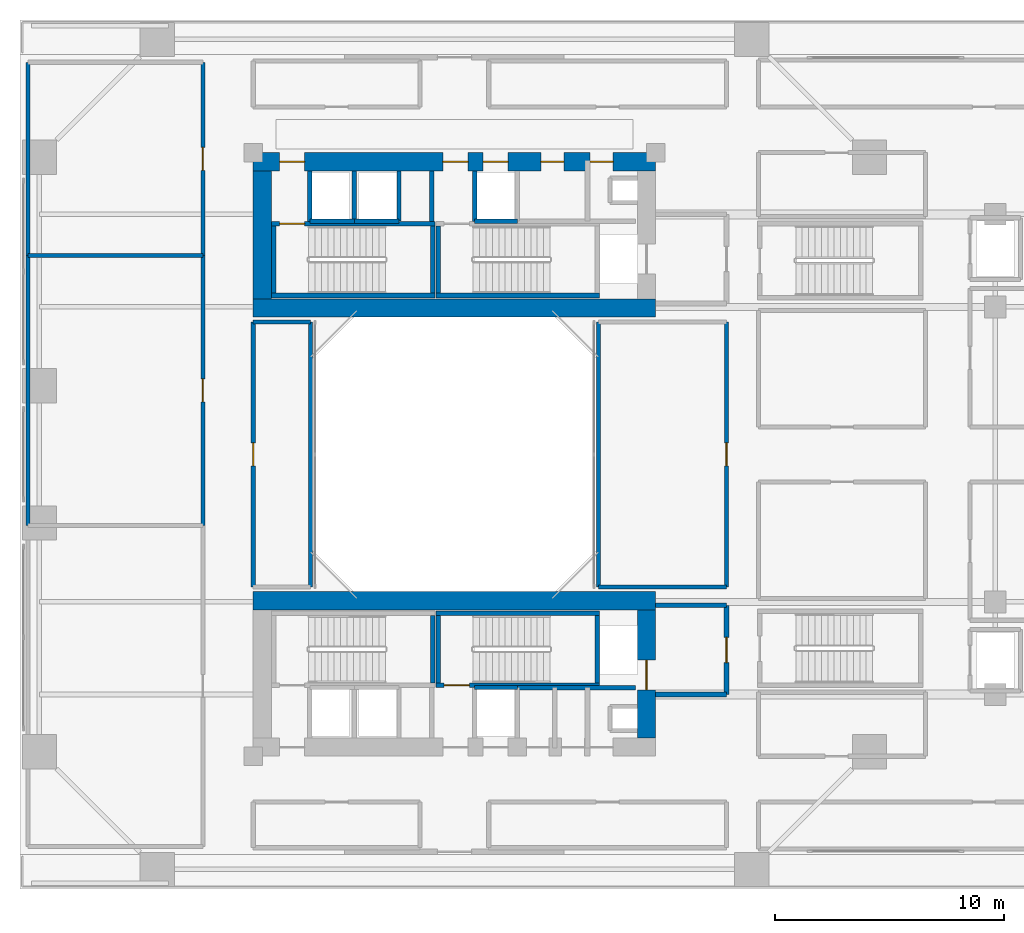
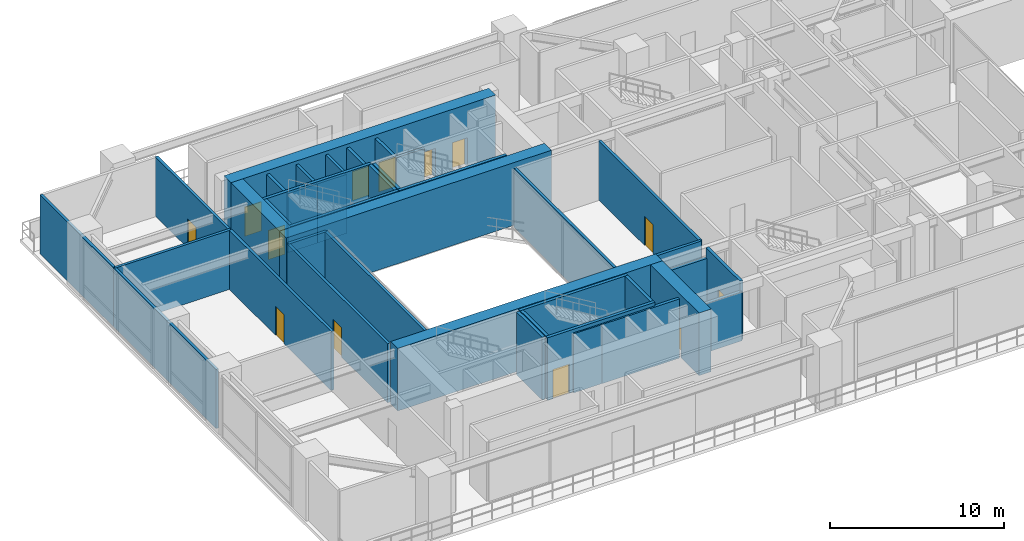
# One storey, part 12 of 20: 40 walls, 13 doors, 13 openings.
"""IFC4 building model written with IfcOpenShell, lengths in metres."""

from ifc_helpers import new_model, si_unit, direction, frame, frame_2d, origin, place, context, subcontext, project, spatial, rectangle, extrude, source, transform, mapped, material, layer, layer_set, type_object, element, fill, save


model = new_model("IFC4")

# Units and contexts
model_context = context("Model", 3, precision=1e-05, world=origin(), true_north=direction((0.0, 1.0)))
body_context = subcontext(model_context, "Body", "Model", "MODEL_VIEW")
ifc_project = project(units=[si_unit("LENGTHUNIT", "METRE"), si_unit("AREAUNIT", "SQUARE_METRE"), si_unit("VOLUMEUNIT", "CUBIC_METRE"), si_unit("PLANEANGLEUNIT", "RADIAN"), si_unit("MASSUNIT", "GRAM", prefix="KILO"), si_unit("THERMODYNAMICTEMPERATUREUNIT", "KELVIN"), si_unit("POWERUNIT", "WATT")], contexts=[model_context])

# Site, building, storey
site_placement = place(None, origin())
site = spatial("IfcSite", under=ifc_project, at=site_placement, CompositionType="ELEMENT")
building_placement = place(site_placement, origin())
building = spatial("IfcBuilding", under=site, at=building_placement, Name="Qiaomeng Ring Towers", CompositionType="ELEMENT")
storey_placement = place(building_placement, frame((0.0, 0.0, 13.800048828125)))
storey = spatial("IfcBuildingStorey", under=building, at=storey_placement, Name="L03", CompositionType="ELEMENT", Elevation=13.800048828125)

# Walls
ifc_material_1 = material(Name="Autoclaved aerated concrete block", Category="concrete")
ifc_layer_1 = layer(ifc_material_1, 0.199951171875, Name="Autoclaved aerated concrete block")
ifc_layer_set_1 = layer_set([ifc_layer_1], Name="Autoclaved aerated concrete block")
wall_type_1 = type_object("IfcWallType", Name="ARC-WL-PW1", PredefinedType="PARTITIONING", material=ifc_layer_set_1)
for number, where, z_axis, x_axis, name in (
    (1, (27.800048828125, 16.39990234375, 0.0), (0.0, 0.0, 1.0), (1.0, 0.0, 0.0), "L03 Interior Wall PW1"),
    (2, (27.800048828125, 12.5, 0.0), (0.0, 0.0, 1.0), (1.0, 0.0, 0.0), "L03 Interior Wall PW1"),
):
    element("IfcWall", number, at=place(storey_placement, frame(where, z_axis=z_axis, x_axis=x_axis)), inside=storey, type_object=wall_type_1, Name=name, PredefinedType="PARTITIONING", context=body_context, shape_type="SweptSolid", body=[
        extrude(rectangle(XDim=3.099853515625, YDim=0.199951171875, at=frame_2d((1.5498046875, 0.0))), origin(), (0.0, 0.0, 1.0), 3.445068359375),
    ])

# Wall, opening, door
wall_1_placement = place(storey_placement, frame((30.89990234375, 12.5, 0.0), z_axis=(0.0, 0.0, 1.0), x_axis=(0.0, 1.0, 0.0)))
wall_1 = element("IfcWall", 3, at=wall_1_placement, inside=storey, type_object=wall_type_1, Name="L03 Interior Wall PW1", PredefinedType="PARTITIONING", context=body_context, shape_type="SweptSolid", body=[
    extrude(rectangle(XDim=3.89990234375, YDim=0.199951171875, at=frame_2d((1.949951171875, 0.0))), origin(), (0.0, 0.0, 1.0), 4.14990234375),
])
opening_1_placement = place(wall_1_placement, frame((1.39990234375, 0.0, 0.0)))
opening_1 = element("IfcOpeningElement", 4, at=opening_1_placement, cuts=wall_1, Name="Opening FD3", PredefinedType="OPENING", context=body_context, shape_type="SweptSolid", body=[
    extrude(rectangle(XDim=1.10009765625, YDim=2.050048828125, at=frame_2d((0.550048828125, 1.02490234375))), frame((0.0, 0.10986328125, 0.0), z_axis=(0.0, -1.0, 0.0), x_axis=(1.0, 0.0, 0.0)), (0.0, 0.0, 1.0), 0.219970703125),
])
ifc_material_2 = material(Name="Galvanised steel", Category="steel")
door_type_1 = type_object("IfcDoorType", Name="ARC-DR-FD3", OperationType="NOTDEFINED", PredefinedType="DOOR", material=ifc_material_2)
shared_shape_1 = source(origin(), body_context, "Body", "SweptSolid", [
    extrude(rectangle(XDim=1.10009765625, YDim=2.050048828125, at=frame_2d((0.550048828125, 1.02490234375))), frame((0.0, 0.02490234375, 0.0), z_axis=(0.0, -1.0, 0.0), x_axis=(1.0, 0.0, 0.0)), (0.0, 0.0, 1.0), 0.050048828125),
])
door_1_placement = place(opening_1_placement, origin())
door_1 = element("IfcDoor", 5, at=door_1_placement, inside=storey, type_object=door_type_1, Name="L03 South FF Lobby Door", OperationType="SINGLE_SWING_RIGHT", OverallHeight=2.050048828125, OverallWidth=1.10009765625, PredefinedType="DOOR", context=body_context, shape_type="MappedRepresentation", body=[
    mapped(shared_shape_1, transform((0.0, 0.0, 0.0), x_axis=(1.0, 0.0, 0.0), y_axis=(0.0, 1.0, 0.0), z_axis=(0.0, 0.0, 1.0), scale=1.0)),
])
fill(opening_1, door_1)

# Walls
for number, where, z_axis, x_axis, name in (
    (6, (12.679931640625, 33.18994140625, 0.0), (0.0, 0.0, 1.0), (0.0, 1.0, 0.0), "L03 Interior Wall PW1"),
    (7, (18.0, 33.18994140625, 0.0), (0.0, 0.0, 1.0), (0.0, 1.0, 0.0), "L03 Interior Wall PW1"),
    (8, (19.8798828125, 33.18994140625, 0.0), (0.0, 0.0, 1.0), (0.0, 1.0, 0.0), "L03 Interior Wall PW1"),
):
    element("IfcWall", number, at=place(storey_placement, frame(where, z_axis=z_axis, x_axis=x_axis)), inside=storey, type_object=wall_type_1, Name=name, PredefinedType="PARTITIONING", context=body_context, shape_type="SweptSolid", body=[
        extrude(rectangle(XDim=2.2099609375, YDim=0.199951171875, at=frame_2d((1.10498046875, 0.0))), origin(), (0.0, 0.0, 1.0), 4.14990234375),
    ])
wall_2_placement = place(storey_placement, frame((21.75, 12.800048828125, 0.0), z_axis=(0.0, 0.0, 1.0), x_axis=(1.0, 0.0, 0.0)))
element("IfcWall", 9, at=wall_2_placement, inside=storey, type_object=wall_type_1, Name="L03 Interior Wall PW1", PredefinedType="PARTITIONING", context=body_context, shape_type="SweptSolid", body=[
    extrude(rectangle(XDim=5.169921875, YDim=0.199951171875, at=frame_2d((2.5849609375, 0.0))), origin(), (0.0, 0.0, 1.0), 4.14990234375),
])
ifc_layer_2 = layer(ifc_material_1, 0.179931640625, Name="Autoclaved aerated concrete block")
ifc_layer_set_2 = layer_set([ifc_layer_2], Name="Autoclaved aerated concrete block")
wall_type_2 = type_object("IfcWallType", Name="ARC-WL-PW2", PredefinedType="PARTITIONING", material=ifc_layer_set_2)
wall_3_placement = place(storey_placement, frame((0.35009765625, 31.699951171875, 0.0), z_axis=(0.0, 0.0, 1.0), x_axis=(1.0, 0.0, 0.0)))
element("IfcWall", 10, at=wall_3_placement, inside=storey, type_object=wall_type_2, Name="L03 Interior Wall PW2", PredefinedType="PARTITIONING", context=body_context, shape_type="SweptSolid", body=[
    extrude(rectangle(XDim=7.64990234375, YDim=0.179931640625, at=frame_2d((3.824951171875, 0.0))), origin(), (0.0, 0.0, 1.0), 4.14990234375),
])
wall_4_placement = place(storey_placement, frame((0.35009765625, 19.89990234375, 0.0), z_axis=(0.0, 0.0, 1.0), x_axis=(0.0, 1.0, 0.0)))
element("IfcWall", 11, at=wall_4_placement, inside=storey, type_object=wall_type_2, Name="L03 Interior Wall PW2", PredefinedType="PARTITIONING", context=body_context, shape_type="SweptSolid", body=[
    extrude(rectangle(XDim=11.800048828125, YDim=0.179931640625, at=frame_2d((5.89990234375, 0.0))), origin(), (0.0, 0.0, 1.0), 4.14990234375),
])

# Wall, opening, door
wall_5_placement = place(storey_placement, frame((8.0, 19.89990234375, 0.0), z_axis=(0.0, 0.0, 1.0), x_axis=(0.0, 1.0, 0.0)))
wall_5 = element("IfcWall", 12, at=wall_5_placement, inside=storey, type_object=wall_type_2, Name="L03 Interior Wall PW2", PredefinedType="PARTITIONING", context=body_context, shape_type="SweptSolid", body=[
    extrude(rectangle(XDim=11.800048828125, YDim=0.179931640625, at=frame_2d((5.89990234375, 0.0))), origin(), (0.0, 0.0, 1.0), 4.14990234375),
])
opening_2_placement = place(wall_5_placement, frame((5.39990234375, 0.0, 0.0)))
opening_2 = element("IfcOpeningElement", 13, at=opening_2_placement, cuts=wall_5, Name="Opening FD4", PredefinedType="OPENING", context=body_context, shape_type="SweptSolid", body=[
    extrude(rectangle(XDim=1.0, YDim=2.050048828125, at=frame_2d((0.5, 1.02490234375))), frame((0.0, 0.099853515625, 0.0), z_axis=(0.0, -1.0, 0.0), x_axis=(1.0, 0.0, 0.0)), (0.0, 0.0, 1.0), 0.199951171875),
])
ifc_material_3 = material(Name="Engineered fire-rated oak timber", Category="wood")
door_type_2 = type_object("IfcDoorType", Name="ARC-DR-FD4", OperationType="NOTDEFINED", PredefinedType="DOOR", material=ifc_material_3)
shared_shape_2 = source(origin(), body_context, "Body", "SweptSolid", [
    extrude(rectangle(XDim=1.0, YDim=2.050048828125, at=frame_2d((0.5, 1.02490234375))), frame((0.0, 0.02490234375, 0.0), z_axis=(0.0, -1.0, 0.0), x_axis=(1.0, 0.0, 0.0)), (0.0, 0.0, 1.0), 0.050048828125),
])
door_2_placement = place(opening_2_placement, origin())
door_2 = element("IfcDoor", 14, at=door_2_placement, inside=storey, type_object=door_type_2, Name="L03 L03 Specialist Consultation Office Door", OperationType="SINGLE_SWING_RIGHT", OverallHeight=2.050048828125, OverallWidth=1.0, PredefinedType="DOOR", context=body_context, shape_type="MappedRepresentation", body=[
    mapped(shared_shape_2, transform((0.0, 0.0, 0.0), x_axis=(1.0, 0.0, 0.0), y_axis=(0.0, 1.0, 0.0), z_axis=(0.0, 0.0, 1.0), scale=1.0)),
])
fill(opening_2, door_2)

# Wall
wall_6_placement = place(storey_placement, frame((0.35009765625, 31.699951171875, 0.0), z_axis=(0.0, 0.0, 1.0), x_axis=(0.0, 1.0, 0.0)))
element("IfcWall", 15, at=wall_6_placement, inside=storey, type_object=wall_type_2, Name="L03 Interior Wall PW2", PredefinedType="PARTITIONING", context=body_context, shape_type="SweptSolid", body=[
    extrude(rectangle(XDim=8.449951171875, YDim=0.179931640625, at=frame_2d((4.22509765625, 0.0))), origin(), (0.0, 0.0, 1.0), 4.14990234375),
])

# Wall, opening, door
wall_7_placement = place(storey_placement, frame((8.0, 31.699951171875, 0.0), z_axis=(0.0, 0.0, 1.0), x_axis=(0.0, 1.0, 0.0)))
wall_7 = element("IfcWall", 16, at=wall_7_placement, inside=storey, type_object=wall_type_2, Name="L03 Interior Wall PW2", PredefinedType="PARTITIONING", context=body_context, shape_type="SweptSolid", body=[
    extrude(rectangle(XDim=8.449951171875, YDim=0.179931640625, at=frame_2d((4.22509765625, 0.0))), origin(), (0.0, 0.0, 1.0), 4.14990234375),
])
opening_3_placement = place(wall_7_placement, frame((3.72509765625, 0.0, 0.0)))
opening_3 = element("IfcOpeningElement", 17, at=opening_3_placement, cuts=wall_7, Name="Opening FD4", PredefinedType="OPENING", context=body_context, shape_type="SweptSolid", body=[
    extrude(rectangle(XDim=1.0, YDim=2.050048828125, at=frame_2d((0.5, 1.02490234375))), frame((0.0, 0.099853515625, 0.0), z_axis=(0.0, -1.0, 0.0), x_axis=(1.0, 0.0, 0.0)), (0.0, 0.0, 1.0), 0.199951171875),
])
door_3_placement = place(opening_3_placement, origin())
door_3 = element("IfcDoor", 18, at=door_3_placement, inside=storey, type_object=door_type_2, Name="L03 L03 Rehabilitation Physiotherapy Gymnasium Door", OperationType="SINGLE_SWING_LEFT", OverallHeight=2.050048828125, OverallWidth=1.0, PredefinedType="DOOR", context=body_context, shape_type="MappedRepresentation", body=[
    mapped(shared_shape_2, transform((0.0, 0.0, 0.0), x_axis=(1.0, 0.0, 0.0), y_axis=(0.0, 1.0, 0.0), z_axis=(0.0, 0.0, 1.0), scale=1.0)),
])
fill(opening_3, door_3)

# Wall
wall_8_placement = place(storey_placement, frame((10.199951171875, 28.800048828125, 0.0), z_axis=(0.0, 0.0, 1.0), x_axis=(1.0, 0.0, 0.0)))
element("IfcWall", 19, at=wall_8_placement, inside=storey, type_object=wall_type_2, Name="L03 Interior Wall PW2", PredefinedType="PARTITIONING", context=body_context, shape_type="SweptSolid", body=[
    extrude(rectangle(XDim=2.5, YDim=0.179931640625, at=frame_2d((1.25, 0.0))), origin(), (0.0, 0.0, 1.0), 4.14990234375),
])

# Wall, opening, door
wall_9_placement = place(storey_placement, frame((10.199951171875, 17.199951171875, 0.0), z_axis=(0.0, 0.0, 1.0), x_axis=(0.0, 1.0, 0.0)))
wall_9 = element("IfcWall", 20, at=wall_9_placement, inside=storey, type_object=wall_type_2, Name="L03 Interior Wall PW2", PredefinedType="PARTITIONING", context=body_context, shape_type="SweptSolid", body=[
    extrude(rectangle(XDim=11.60009765625, YDim=0.179931640625, at=frame_2d((5.800048828125, 0.0))), origin(), (0.0, 0.0, 1.0), 4.14990234375),
])
opening_4_placement = place(wall_9_placement, frame((5.300048828125, 0.0, 0.0)))
opening_4 = element("IfcOpeningElement", 21, at=opening_4_placement, cuts=wall_9, Name="Opening FD4", PredefinedType="OPENING", context=body_context, shape_type="SweptSolid", body=[
    extrude(rectangle(XDim=1.0, YDim=2.050048828125, at=frame_2d((0.5, 1.02490234375))), frame((0.0, 0.099853515625, 0.0), z_axis=(0.0, -1.0, 0.0), x_axis=(1.0, 0.0, 0.0)), (0.0, 0.0, 1.0), 0.199951171875),
])
door_4_placement = place(opening_4_placement, origin())
door_4 = element("IfcDoor", 22, at=door_4_placement, inside=storey, type_object=door_type_2, Name="L03 L03 Internal Medicine Suite Door", OperationType="SINGLE_SWING_RIGHT", OverallHeight=2.050048828125, OverallWidth=1.0, PredefinedType="DOOR", context=body_context, shape_type="MappedRepresentation", body=[
    mapped(shared_shape_2, transform((0.0, 0.0, 0.0), x_axis=(1.0, 0.0, 0.0), y_axis=(0.0, 1.0, 0.0), z_axis=(0.0, 0.0, 1.0), scale=1.0)),
])
fill(opening_4, door_4)

# Walls
wall_10_placement = place(storey_placement, frame((12.699951171875, 17.199951171875, 0.0), z_axis=(0.0, 0.0, 1.0), x_axis=(0.0, 1.0, 0.0)))
element("IfcWall", 23, at=wall_10_placement, inside=storey, type_object=wall_type_2, Name="L03 Interior Wall PW2", PredefinedType="PARTITIONING", context=body_context, shape_type="SweptSolid", body=[
    extrude(rectangle(XDim=11.60009765625, YDim=0.179931640625, at=frame_2d((5.800048828125, 0.0))), origin(), (0.0, 0.0, 1.0), 4.14990234375),
])
wall_11_placement = place(storey_placement, frame((25.300048828125, 17.199951171875, 0.0), z_axis=(0.0, 0.0, 1.0), x_axis=(1.0, 0.0, 0.0)))
element("IfcWall", 24, at=wall_11_placement, inside=storey, type_object=wall_type_2, Name="L03 Interior Wall PW2", PredefinedType="PARTITIONING", context=body_context, shape_type="SweptSolid", body=[
    extrude(rectangle(XDim=5.599853515625, YDim=0.179931640625, at=frame_2d((2.7998046875, 0.0))), origin(), (0.0, 0.0, 1.0), 4.14990234375),
])
wall_12_placement = place(storey_placement, frame((25.300048828125, 17.199951171875, 0.0), z_axis=(0.0, 0.0, 1.0), x_axis=(0.0, 1.0, 0.0)))
element("IfcWall", 25, at=wall_12_placement, inside=storey, type_object=wall_type_2, Name="L03 Interior Wall PW2", PredefinedType="PARTITIONING", context=body_context, shape_type="SweptSolid", body=[
    extrude(rectangle(XDim=11.60009765625, YDim=0.179931640625, at=frame_2d((5.800048828125, 0.0))), origin(), (0.0, 0.0, 1.0), 4.14990234375),
])

# Wall, opening, door
wall_13_placement = place(storey_placement, frame((30.89990234375, 17.199951171875, 0.0), z_axis=(0.0, 0.0, 1.0), x_axis=(0.0, 1.0, 0.0)))
wall_13 = element("IfcWall", 26, at=wall_13_placement, inside=storey, type_object=wall_type_2, Name="L03 Interior Wall PW2", PredefinedType="PARTITIONING", context=body_context, shape_type="SweptSolid", body=[
    extrude(rectangle(XDim=11.60009765625, YDim=0.179931640625, at=frame_2d((5.800048828125, 0.0))), origin(), (0.0, 0.0, 1.0), 4.14990234375),
])
opening_5_placement = place(wall_13_placement, frame((5.300048828125, 0.0, 0.0)))
opening_5 = element("IfcOpeningElement", 27, at=opening_5_placement, cuts=wall_13, Name="Opening FD4", PredefinedType="OPENING", context=body_context, shape_type="SweptSolid", body=[
    extrude(rectangle(XDim=1.0, YDim=2.050048828125, at=frame_2d((0.5, 1.02490234375))), frame((0.0, 0.099853515625, 0.0), z_axis=(0.0, -1.0, 0.0), x_axis=(1.0, 0.0, 0.0)), (0.0, 0.0, 1.0), 0.199951171875),
])
door_5_placement = place(opening_5_placement, origin())
door_5 = element("IfcDoor", 28, at=door_5_placement, inside=storey, type_object=door_type_2, Name="L03 L03 Traditional Medicine Clinic Door", OperationType="SINGLE_SWING_LEFT", OverallHeight=2.050048828125, OverallWidth=1.0, PredefinedType="DOOR", context=body_context, shape_type="MappedRepresentation", body=[
    mapped(shared_shape_2, transform((0.0, 0.0, 0.0), x_axis=(1.0, 0.0, 0.0), y_axis=(0.0, 1.0, 0.0), z_axis=(0.0, 0.0, 1.0), scale=1.0)),
])
fill(opening_5, door_5)

# Walls
ifc_material_4 = material(Name="Concrete C40", Category="concrete")
ifc_layer_3 = layer(ifc_material_4, 0.199951171875, Name="Concrete C40")
ifc_layer_set_3 = layer_set([ifc_layer_3], Name="Concrete C40")
wall_type_3 = type_object("IfcWallType", Name="STR-WL-STSHAFT", PredefinedType="SHEAR", material=ifc_layer_set_3)
wall_14_placement = place(storey_placement, frame((12.679931640625, 33.199951171875, 0.0), z_axis=(0.0, 0.0, 1.0), x_axis=(1.0, 0.0, 0.0)))
element("IfcWall", 29, at=wall_14_placement, inside=storey, type_object=wall_type_3, Name="L03 Lift LP5 Shaft Back Wall", PredefinedType="SHEAR", context=body_context, shape_type="SweptSolid", body=[
    extrude(rectangle(XDim=1.940185546875, YDim=0.179931640625, at=frame_2d((0.97021484375, 0.0))), origin(), (0.0, 0.0, 1.0), 4.14990234375),
])
wall_15_placement = place(storey_placement, frame((14.6201171875, 33.199951171875, 0.0), z_axis=(0.0, 0.0, 1.0), x_axis=(0.0, 1.0, 0.0)))
element("IfcWall", 30, at=wall_15_placement, inside=storey, type_object=wall_type_3, Name="L03 Lift LP5-LP3 Shaft Divider Wall", PredefinedType="SHEAR", context=body_context, shape_type="SweptSolid", body=[
    extrude(rectangle(XDim=2.199951171875, YDim=0.179931640625, at=frame_2d((1.10009765625, 0.0))), origin(), (0.0, 0.0, 1.0), 4.14990234375),
])
wall_16_placement = place(storey_placement, frame((14.6201171875, 33.199951171875, 0.0), z_axis=(0.0, 0.0, 1.0), x_axis=(1.0, 0.0, 0.0)))
element("IfcWall", 31, at=wall_16_placement, inside=storey, type_object=wall_type_3, Name="L03 Lift LP3 Shaft Back Wall", PredefinedType="SHEAR", context=body_context, shape_type="SweptSolid", body=[
    extrude(rectangle(XDim=1.9599609375, YDim=0.179931640625, at=frame_2d((0.97998046875, 0.0))), origin(), (0.0, 0.0, 1.0), 4.14990234375),
])
wall_17_placement = place(storey_placement, frame((16.580078125, 33.199951171875, 0.0), z_axis=(0.0, 0.0, 1.0), x_axis=(0.0, 1.0, 0.0)))
element("IfcWall", 32, at=wall_17_placement, inside=storey, type_object=wall_type_3, Name="L03 Lift LP3 East Shaft Wall", PredefinedType="SHEAR", context=body_context, shape_type="SweptSolid", body=[
    extrude(rectangle(XDim=2.199951171875, YDim=0.179931640625, at=frame_2d((1.10009765625, 0.0))), origin(), (0.0, 0.0, 1.0), 4.14990234375),
])
for number, where, z_axis, x_axis, name in (
    (33, (19.8798828125, 33.199951171875, 0.0), (0.0, 0.0, 1.0), (1.0, 0.0, 0.0), "L03 Lift LP1 Shaft Back Wall"),
    (34, (19.8798828125, 12.800048828125, 0.0), (0.0, 0.0, 1.0), (1.0, 0.0, 0.0), "L03 Lift LP2 Shaft Back Wall"),
):
    element("IfcWall", number, at=place(storey_placement, frame(where, z_axis=z_axis, x_axis=x_axis)), inside=storey, type_object=wall_type_3, Name=name, PredefinedType="SHEAR", context=body_context, shape_type="SweptSolid", body=[
        extrude(rectangle(XDim=1.8701171875, YDim=0.179931640625, at=frame_2d((0.93505859375, 0.0))), origin(), (0.0, 0.0, 1.0), 4.14990234375),
    ])
wall_18_placement = place(storey_placement, frame((11.0, 29.949951171875, 0.0), z_axis=(0.0, 0.0, 1.0), x_axis=(1.0, 0.0, 0.0)))
element("IfcWall", 35, at=wall_18_placement, inside=storey, type_object=wall_type_3, Name="L03 Stair ST1 South Shaft Shear Wall", PredefinedType="SHEAR", context=body_context, shape_type="SweptSolid", body=[
    extrude(rectangle(XDim=7.14990234375, YDim=0.199951171875, at=frame_2d((3.574951171875, 0.0))), origin(), (0.0, 0.0, 1.0), 4.39990234375),
])

# Wall, opening, door
wall_19_placement = place(storey_placement, frame((11.0, 33.090087890625, 0.0), z_axis=(0.0, 0.0, 1.0), x_axis=(1.0, 0.0, 0.0)))
wall_19 = element("IfcWall", 36, at=wall_19_placement, inside=storey, type_object=wall_type_3, Name="L03 Stair ST1 North Shaft Shear Wall", PredefinedType="SHEAR", context=body_context, shape_type="SweptSolid", body=[
    extrude(rectangle(XDim=7.14990234375, YDim=0.199951171875, at=frame_2d((3.574951171875, 0.0))), origin(), (0.0, 0.0, 1.0), 4.39990234375),
])
opening_6_placement = place(wall_19_placement, frame((0.35009765625, 0.0, 0.0)))
opening_6 = element("IfcOpeningElement", 37, at=opening_6_placement, cuts=wall_19, Name="Opening FD3", PredefinedType="OPENING", context=body_context, shape_type="SweptSolid", body=[
    extrude(rectangle(XDim=1.10009765625, YDim=2.050048828125, at=frame_2d((0.550048828125, 1.02490234375))), frame((0.0, 0.10986328125, 0.0), z_axis=(0.0, -1.0, 0.0), x_axis=(1.0, 0.0, 0.0)), (0.0, 0.0, 1.0), 0.219970703125),
])
door_6_placement = place(opening_6_placement, origin())
door_6 = element("IfcDoor", 38, at=door_6_placement, inside=storey, type_object=door_type_1, Name="L03 Stair ST1 Exit Door", OperationType="SINGLE_SWING_RIGHT", OverallHeight=2.050048828125, OverallWidth=1.10009765625, PredefinedType="DOOR", context=body_context, shape_type="MappedRepresentation", body=[
    mapped(shared_shape_1, transform((0.0, 0.0, 0.0), x_axis=(1.0, 0.0, 0.0), y_axis=(0.0, 1.0, 0.0), z_axis=(0.0, 0.0, 1.0), scale=1.0)),
])
fill(opening_6, door_6)

# Walls
for number, where, z_axis, x_axis, name in (
    (39, (11.10009765625, 30.050048828125, 0.0), (0.0, 0.0, 1.0), (0.0, 1.0, 0.0), "L03 Stair ST1 West Shaft Shear Wall"),
    (40, (18.050048828125, 30.050048828125, 0.0), (0.0, 0.0, 1.0), (0.0, 1.0, 0.0), "L03 Stair ST1 East Shaft Shear Wall"),
):
    element("IfcWall", number, at=place(storey_placement, frame(where, z_axis=z_axis, x_axis=x_axis)), inside=storey, type_object=wall_type_3, Name=name, PredefinedType="SHEAR", context=body_context, shape_type="SweptSolid", body=[
        extrude(rectangle(XDim=2.93994140625, YDim=0.199951171875, at=frame_2d((1.469970703125, 0.0))), origin(), (0.0, 0.0, 1.0), 4.39990234375),
    ])
wall_20_placement = place(storey_placement, frame((18.199951171875, 29.949951171875, 0.0), z_axis=(0.0, 0.0, 1.0), x_axis=(1.0, 0.0, 0.0)))
element("IfcWall", 41, at=wall_20_placement, inside=storey, type_object=wall_type_3, Name="L03 Stair ST2 South Shaft Shear Wall", PredefinedType="SHEAR", context=body_context, shape_type="SweptSolid", body=[
    extrude(rectangle(XDim=7.150146484375, YDim=0.199951171875, at=frame_2d((3.5751953125, 0.0))), origin(), (0.0, 0.0, 1.0), 4.39990234375),
])
for number, where, z_axis, x_axis, name in (
    (42, (18.300048828125, 30.050048828125, 0.0), (0.0, 0.0, 1.0), (0.0, 1.0, 0.0), "L03 Stair ST2 West Shaft Shear Wall"),
    (43, (18.050048828125, 13.010009765625, 0.0), (0.0, 0.0, 1.0), (0.0, 1.0, 0.0), "L03 Stair ST3 East Shaft Shear Wall"),
):
    element("IfcWall", number, at=place(storey_placement, frame(where, z_axis=z_axis, x_axis=x_axis)), inside=storey, type_object=wall_type_3, Name=name, PredefinedType="SHEAR", context=body_context, shape_type="SweptSolid", body=[
        extrude(rectangle(XDim=2.93994140625, YDim=0.199951171875, at=frame_2d((1.469970703125, 0.0))), origin(), (0.0, 0.0, 1.0), 4.39990234375),
    ])

# Wall, opening, door
wall_21_placement = place(storey_placement, frame((18.199951171875, 12.909912109375, 0.0), z_axis=(0.0, 0.0, 1.0), x_axis=(1.0, 0.0, 0.0)))
wall_21 = element("IfcWall", 44, at=wall_21_placement, inside=storey, type_object=wall_type_3, Name="L03 Stair ST4 South Shaft Shear Wall", PredefinedType="SHEAR", context=body_context, shape_type="SweptSolid", body=[
    extrude(rectangle(XDim=7.150146484375, YDim=0.199951171875, at=frame_2d((3.5751953125, 0.0))), origin(), (0.0, 0.0, 1.0), 4.39990234375),
])
opening_7_placement = place(wall_21_placement, frame((0.35009765625, 0.0, 0.0)))
opening_7 = element("IfcOpeningElement", 45, at=opening_7_placement, cuts=wall_21, Name="Opening FD3", PredefinedType="OPENING", context=body_context, shape_type="SweptSolid", body=[
    extrude(rectangle(XDim=1.10009765625, YDim=2.050048828125, at=frame_2d((0.550048828125, 1.02490234375))), frame((0.0, 0.10986328125, 0.0), z_axis=(0.0, -1.0, 0.0), x_axis=(1.0, 0.0, 0.0)), (0.0, 0.0, 1.0), 0.219970703125),
])
door_7_placement = place(opening_7_placement, frame((1.10009765625, 0.0, 0.0), z_axis=(0.0, 0.0, 1.0), x_axis=(-1.0, 0.0, 0.0)))
door_7 = element("IfcDoor", 46, at=door_7_placement, inside=storey, type_object=door_type_1, Name="L03 Stair ST4 Exit Door", OperationType="SINGLE_SWING_RIGHT", OverallHeight=2.050048828125, OverallWidth=1.10009765625, PredefinedType="DOOR", context=body_context, shape_type="MappedRepresentation", body=[
    mapped(shared_shape_1, transform((0.0, 0.0, 0.0), x_axis=(1.0, 0.0, 0.0), y_axis=(0.0, 1.0, 0.0), z_axis=(0.0, 0.0, 1.0), scale=1.0)),
])
fill(opening_7, door_7)

# Walls
wall_22_placement = place(storey_placement, frame((18.199951171875, 16.050048828125, 0.0), z_axis=(0.0, 0.0, 1.0), x_axis=(1.0, 0.0, 0.0)))
element("IfcWall", 47, at=wall_22_placement, inside=storey, type_object=wall_type_3, Name="L03 Stair ST4 North Shaft Shear Wall", PredefinedType="SHEAR", context=body_context, shape_type="SweptSolid", body=[
    extrude(rectangle(XDim=7.150146484375, YDim=0.199951171875, at=frame_2d((3.5751953125, 0.0))), origin(), (0.0, 0.0, 1.0), 4.39990234375),
])
for number, where, z_axis, x_axis, name in (
    (48, (18.300048828125, 13.010009765625, 0.0), (0.0, 0.0, 1.0), (0.0, 1.0, 0.0), "L03 Stair ST4 West Shaft Shear Wall"),
    (49, (25.25, 13.010009765625, 0.0), (0.0, 0.0, 1.0), (0.0, 1.0, 0.0), "L03 Stair ST4 East Shaft Shear Wall"),
):
    element("IfcWall", number, at=place(storey_placement, frame(where, z_axis=z_axis, x_axis=x_axis)), inside=storey, type_object=wall_type_3, Name=name, PredefinedType="SHEAR", context=body_context, shape_type="SweptSolid", body=[
        extrude(rectangle(XDim=2.93994140625, YDim=0.199951171875, at=frame_2d((1.469970703125, 0.0))), origin(), (0.0, 0.0, 1.0), 4.39990234375),
    ])
ifc_material_5 = material(Name="Concrete C60", Category="concrete")
ifc_layer_4 = layer(ifc_material_5, 0.800048828125, Name="Concrete C60")
ifc_layer_set_4 = layer_set([ifc_layer_4], Name="Concrete C60")
wall_type_4 = type_object("IfcWallType", Name="STR-WL-SW1", PredefinedType="SHEAR", material=ifc_layer_set_4)
wall_23_placement = place(storey_placement, frame((10.199951171875, 29.39990234375, 0.0), z_axis=(0.0, 0.0, 1.0), x_axis=(1.0, 0.0, 0.0)))
element("IfcWall", 50, at=wall_23_placement, inside=storey, type_object=wall_type_4, Name="L03 T1NC south core shear wall", PredefinedType="SHEAR", context=body_context, shape_type="SweptSolid", body=[
    extrude(rectangle(XDim=17.60009765625, YDim=0.800048828125, at=frame_2d((8.800048828125, 0.0))), origin(), (0.0, 0.0, 1.0), 4.39990234375),
])

# Wall, openings, doors
wall_24_placement = place(storey_placement, frame((10.199951171875, 35.800048828125, 0.0), z_axis=(0.0, 0.0, 1.0), x_axis=(1.0, 0.0, 0.0)))
wall_24 = element("IfcWall", 51, at=wall_24_placement, inside=storey, type_object=wall_type_4, Name="L03 T1NC north core shear wall", PredefinedType="SHEAR", context=body_context, shape_type="SweptSolid", body=[
    extrude(rectangle(XDim=17.60009765625, YDim=0.800048828125, at=frame_2d((8.800048828125, 0.0))), origin(), (0.0, 0.0, 1.0), 4.39990234375),
])
opening_8_placement = place(wall_24_placement, frame((1.14990234375, 0.0, 0.0)))
opening_8 = element("IfcOpeningElement", 52, at=opening_8_placement, cuts=wall_24, Name="Opening FD3", PredefinedType="OPENING", context=body_context, shape_type="SweptSolid", body=[
    extrude(rectangle(XDim=1.10009765625, YDim=2.050048828125, at=frame_2d((0.550048828125, 1.02490234375))), frame((0.0, 0.409912109375, 0.0), z_axis=(0.0, -1.0, 0.0), x_axis=(1.0, 0.0, 0.0)), (0.0, 0.0, 1.0), 0.820068359375),
])
opening_9_placement = place(wall_24_placement, frame((8.300048828125, 0.0, 0.0)))
opening_9 = element("IfcOpeningElement", 53, at=opening_9_placement, cuts=wall_24, Name="Opening FD3", PredefinedType="OPENING", context=body_context, shape_type="SweptSolid", body=[
    extrude(rectangle(XDim=1.10009765625, YDim=2.050048828125, at=frame_2d((0.550048828125, 1.02490234375))), frame((0.0, 0.409912109375, 0.0), z_axis=(0.0, -1.0, 0.0), x_axis=(1.0, 0.0, 0.0)), (0.0, 0.0, 1.0), 0.820068359375),
])
opening_10_placement = place(wall_24_placement, frame((10.050048828125, 0.0, 0.0)))
opening_10 = element("IfcOpeningElement", 54, at=opening_10_placement, cuts=wall_24, Name="Opening LD1", PredefinedType="OPENING", context=body_context, shape_type="SweptSolid", body=[
    extrude(rectangle(XDim=1.10009765625, YDim=2.050048828125, at=frame_2d((0.550048828125, 1.02490234375))), frame((0.0, 0.409912109375, 0.0), z_axis=(0.0, -1.0, 0.0), x_axis=(1.0, 0.0, 0.0)), (0.0, 0.0, 1.0), 0.820068359375),
])
opening_11_placement = place(wall_24_placement, frame((14.739990234375, 0.0, 0.0)))
opening_11 = element("IfcOpeningElement", 55, at=opening_11_placement, cuts=wall_24, Name="Opening FD1", PredefinedType="OPENING", context=body_context, shape_type="SweptSolid", body=[
    extrude(rectangle(XDim=1.0, YDim=2.050048828125, at=frame_2d((0.5, 1.02490234375))), frame((0.0, 0.409912109375, 0.0), z_axis=(0.0, -1.0, 0.0), x_axis=(1.0, 0.0, 0.0)), (0.0, 0.0, 1.0), 0.820068359375),
])
opening_12_placement = place(wall_24_placement, frame((12.5849609375, 0.0, 0.0)))
opening_12 = element("IfcOpeningElement", 56, at=opening_12_placement, cuts=wall_24, Name="Opening FD1", PredefinedType="OPENING", context=body_context, shape_type="SweptSolid", body=[
    extrude(rectangle(XDim=1.0, YDim=2.050048828125, at=frame_2d((0.5, 1.02490234375))), frame((0.0, 0.409912109375, 0.0), z_axis=(0.0, -1.0, 0.0), x_axis=(1.0, 0.0, 0.0)), (0.0, 0.0, 1.0), 0.820068359375),
])
door_8_placement = place(opening_8_placement, origin())
door_8 = element("IfcDoor", 57, at=door_8_placement, inside=storey, type_object=door_type_1, Name="L03 Stair ST1 Lobby Door", OperationType="SINGLE_SWING_LEFT", OverallHeight=2.050048828125, OverallWidth=1.10009765625, PredefinedType="DOOR", context=body_context, shape_type="MappedRepresentation", body=[
    mapped(shared_shape_1, transform((0.0, 0.0, 0.0), x_axis=(1.0, 0.0, 0.0), y_axis=(0.0, 1.0, 0.0), z_axis=(0.0, 0.0, 1.0), scale=1.0)),
])
fill(opening_8, door_8)
door_9_placement = place(opening_9_placement, origin())
door_9 = element("IfcDoor", 58, at=door_9_placement, inside=storey, type_object=door_type_1, Name="L03 Stair ST2 Lobby Door", OperationType="SINGLE_SWING_LEFT", OverallHeight=2.050048828125, OverallWidth=1.10009765625, PredefinedType="DOOR", context=body_context, shape_type="MappedRepresentation", body=[
    mapped(shared_shape_1, transform((0.0, 0.0, 0.0), x_axis=(1.0, 0.0, 0.0), y_axis=(0.0, 1.0, 0.0), z_axis=(0.0, 0.0, 1.0), scale=1.0)),
])
fill(opening_9, door_9)
ifc_material_6 = material(Name="Stainless steel 316", Category="steel")
door_type_3 = type_object("IfcDoorType", Name="ARC-DR-LD1", OperationType="NOTDEFINED", PredefinedType="DOOR", material=ifc_material_6)
door_10_placement = place(opening_10_placement, origin())
door_10 = element("IfcDoor", 59, at=door_10_placement, inside=storey, type_object=door_type_3, Name="L03 Low-Zone Lift LP1 Landing Door", OperationType="SLIDING_TO_LEFT", OverallHeight=2.050048828125, OverallWidth=1.10009765625, PredefinedType="DOOR", context=body_context, shape_type="MappedRepresentation", body=[
    mapped(shared_shape_1, transform((0.0, 0.0, 0.0), x_axis=(1.0, 0.0, 0.0), y_axis=(0.0, 1.0, 0.0), z_axis=(0.0, 0.0, 1.0), scale=1.0)),
])
fill(opening_10, door_10)
door_type_4 = type_object("IfcDoorType", Name="ARC-DR-FD1", OperationType="NOTDEFINED", PredefinedType="DOOR", material=ifc_material_2)
door_11_placement = place(opening_11_placement, origin())
door_11 = element("IfcDoor", 60, at=door_11_placement, inside=storey, type_object=door_type_4, Name="L03 North Electrical Riser Door", OperationType="SINGLE_SWING_LEFT", OverallHeight=2.050048828125, OverallWidth=1.0, PredefinedType="DOOR", context=body_context, shape_type="MappedRepresentation", body=[
    mapped(shared_shape_2, transform((0.0, 0.0, 0.0), x_axis=(1.0, 0.0, 0.0), y_axis=(0.0, 1.0, 0.0), z_axis=(0.0, 0.0, 1.0), scale=1.0)),
])
fill(opening_11, door_11)
door_12_placement = place(opening_12_placement, origin())
door_12 = element("IfcDoor", 61, at=door_12_placement, inside=storey, type_object=door_type_4, Name="L03 North Cleaners Store Door", OperationType="SINGLE_SWING_LEFT", OverallHeight=2.050048828125, OverallWidth=1.0, PredefinedType="DOOR", context=body_context, shape_type="MappedRepresentation", body=[
    mapped(shared_shape_2, transform((0.0, 0.0, 0.0), x_axis=(1.0, 0.0, 0.0), y_axis=(0.0, 1.0, 0.0), z_axis=(0.0, 0.0, 1.0), scale=1.0)),
])
fill(opening_12, door_12)

# Walls
wall_25_placement = place(storey_placement, frame((10.60009765625, 29.800048828125, 0.0), z_axis=(0.0, 0.0, 1.0), x_axis=(0.0, 1.0, 0.0)))
element("IfcWall", 62, at=wall_25_placement, inside=storey, type_object=wall_type_4, Name="L03 T1NC west core shear wall", PredefinedType="SHEAR", context=body_context, shape_type="SweptSolid", body=[
    extrude(rectangle(XDim=5.599853515625, YDim=0.800048828125, at=frame_2d((2.7998046875, 0.0))), origin(), (0.0, 0.0, 1.0), 4.39990234375),
])
wall_26_placement = place(storey_placement, frame((10.199951171875, 16.60009765625, 0.0), z_axis=(0.0, 0.0, 1.0), x_axis=(1.0, 0.0, 0.0)))
element("IfcWall", 63, at=wall_26_placement, inside=storey, type_object=wall_type_4, Name="L03 T1SC north core shear wall", PredefinedType="SHEAR", context=body_context, shape_type="SweptSolid", body=[
    extrude(rectangle(XDim=17.60009765625, YDim=0.800048828125, at=frame_2d((8.800048828125, 0.0))), origin(), (0.0, 0.0, 1.0), 4.39990234375),
])

# Wall, opening, door
wall_27_placement = place(storey_placement, frame((27.39990234375, 10.60009765625, 0.0), z_axis=(0.0, 0.0, 1.0), x_axis=(0.0, 1.0, 0.0)))
wall_27 = element("IfcWall", 64, at=wall_27_placement, inside=storey, type_object=wall_type_4, Name="L03 T1SC east core shear wall", PredefinedType="SHEAR", context=body_context, shape_type="SweptSolid", body=[
    extrude(rectangle(XDim=5.599853515625, YDim=0.800048828125, at=frame_2d((2.7998046875, 0.0))), origin(), (0.0, 0.0, 1.0), 4.39990234375),
])
opening_13_placement = place(wall_27_placement, frame((2.10009765625, 0.0, 0.0)))
opening_13 = element("IfcOpeningElement", 65, at=opening_13_placement, cuts=wall_27, Name="Opening LD2", PredefinedType="OPENING", context=body_context, shape_type="SweptSolid", body=[
    extrude(rectangle(XDim=1.300048828125, YDim=2.050048828125, at=frame_2d((0.64990234375, 1.02490234375))), frame((0.0, 0.409912109375, 0.0), z_axis=(0.0, -1.0, 0.0), x_axis=(1.0, 0.0, 0.0)), (0.0, 0.0, 1.0), 0.820068359375),
])
door_type_5 = type_object("IfcDoorType", Name="ARC-DR-LD2", OperationType="NOTDEFINED", PredefinedType="DOOR", material=ifc_material_6)
shared_shape_3 = source(origin(), body_context, "Body", "SweptSolid", [
    extrude(rectangle(XDim=1.300048828125, YDim=2.050048828125, at=frame_2d((0.64990234375, 1.02490234375))), frame((0.0, 0.02490234375, 0.0), z_axis=(0.0, -1.0, 0.0), x_axis=(1.0, 0.0, 0.0)), (0.0, 0.0, 1.0), 0.050048828125),
])
door_13_placement = place(opening_13_placement, origin())
door_13 = element("IfcDoor", 66, at=door_13_placement, inside=storey, type_object=door_type_5, Name="L03 Firefighting Lift FL2 Landing Door", OperationType="SLIDING_TO_RIGHT", OverallHeight=2.050048828125, OverallWidth=1.300048828125, PredefinedType="DOOR", context=body_context, shape_type="MappedRepresentation", body=[
    mapped(shared_shape_3, transform((0.0, 0.0, 0.0), x_axis=(1.0, 0.0, 0.0), y_axis=(0.0, 1.0, 0.0), z_axis=(0.0, 0.0, 1.0), scale=1.0)),
])
fill(opening_13, door_13)

save(model, "model.ifc")
